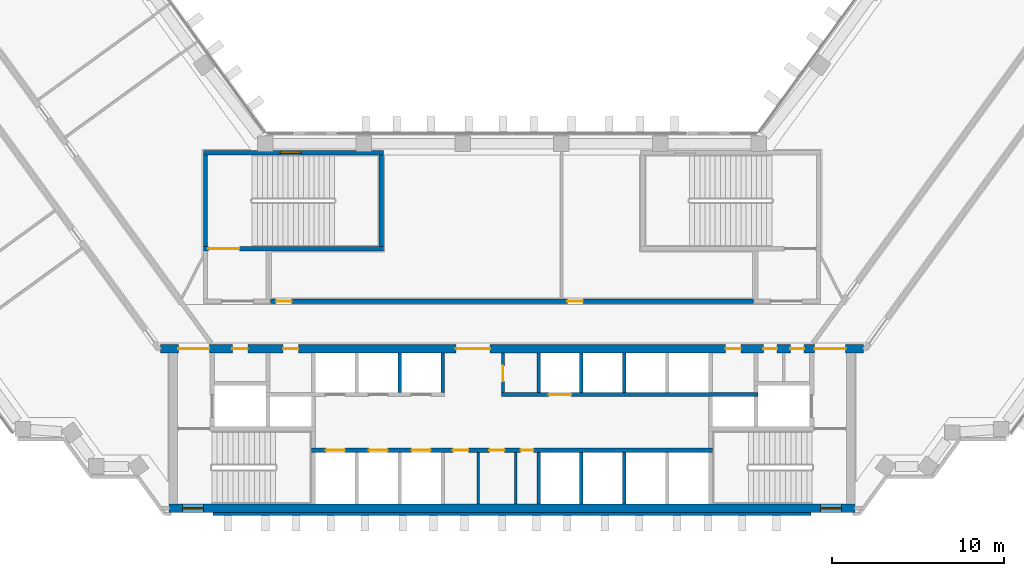
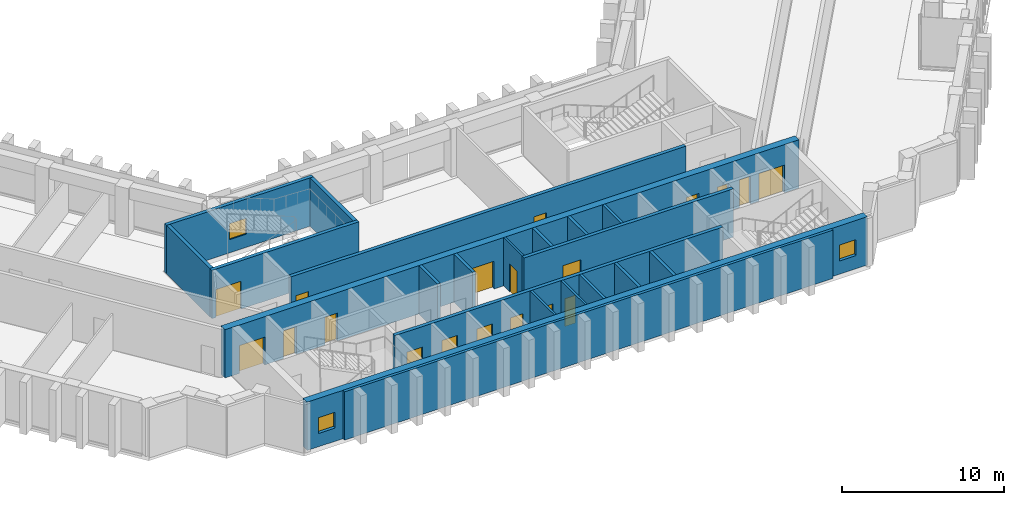
# One storey, part 7 of 14: 21 walls, 19 doors, 3 windows, 22 openings.
"""IFC4 building model written with IfcOpenShell, lengths in metres."""

from ifc_helpers import new_model, si_unit, direction, frame, frame_2d, origin, place, context, subcontext, project, spatial, rectangle, extrude, material, layer, layer_set, type_object, element, fill, save


model = new_model("IFC4")

# Units and contexts
model_context = context("Model", 3, precision=1e-05, world=origin(), true_north=direction((0.0, 1.0)))
body_context = subcontext(model_context, "Body", "Model", "MODEL_VIEW")
ifc_project = project(units=[si_unit("LENGTHUNIT", "METRE"), si_unit("AREAUNIT", "SQUARE_METRE"), si_unit("VOLUMEUNIT", "CUBIC_METRE"), si_unit("PLANEANGLEUNIT", "RADIAN"), si_unit("MASSUNIT", "GRAM", prefix="KILO")], contexts=[model_context])

# Site, building, storey
site_placement = place(None, origin())
site = spatial("IfcSite", under=ifc_project, at=site_placement, CompositionType="ELEMENT")
building_placement = place(site_placement, origin())
building = spatial("IfcBuilding", under=site, at=building_placement, Name="Quipu Civic Tower", CompositionType="ELEMENT")
storey_placement = place(building_placement, frame((0.0, 0.0, 93.0)))
storey = spatial("IfcBuildingStorey", under=building, at=storey_placement, Name="L21", CompositionType="ELEMENT", Elevation=93.0)

# Wall, openings, doors
ifc_material_1 = material(Name="Concrete C70/85", Category="concrete")
ifc_layer_1 = layer(ifc_material_1, 0.25)
ifc_layer_set_1 = layer_set([ifc_layer_1], Name="Concrete C70/85")
wall_type_1 = type_object("IfcWallType", Name="Core wall 250", PredefinedType="SHEAR", material=ifc_layer_set_1)
wall_1_placement = place(storey_placement, frame((11.699951171875, -7.375, 0.0), z_axis=(0.0, 0.0, 1.0), x_axis=(-1.0, 0.0, 0.0)))
wall_1 = element("IfcWall", 1, at=wall_1_placement, inside=storey, type_object=wall_type_1, Name="Core wall", PredefinedType="SHEAR", context=body_context, shape_type="SweptSolid", body=[
    extrude(rectangle(XDim=23.39990234375, YDim=0.25, at=frame_2d((11.699951171875, 0.0))), origin(), (0.0, 0.0, 1.0), 3.64990234375),
])
opening_1_placement = place(wall_1_placement, frame((21.449951171875, 0.0, 0.0)))
opening_1 = element("IfcOpeningElement", 2, at=opening_1_placement, cuts=wall_1, Name="Opening LD-LL1", PredefinedType="OPENING", context=body_context, shape_type="SweptSolid", body=[
    extrude(rectangle(XDim=1.10009765625, YDim=2.10009765625, at=frame_2d((0.550048828125, 1.050048828125))), frame((0.0, 0.135009765625, 0.0), z_axis=(0.0, -1.0, 0.0), x_axis=(1.0, 0.0, 0.0)), (0.0, 0.0, 1.0), 0.27001953125),
])
opening_2_placement = place(wall_1_placement, frame((18.949951171875, 0.0, 0.0)))
opening_2 = element("IfcOpeningElement", 3, at=opening_2_placement, cuts=wall_1, Name="Opening LD-LL2", PredefinedType="OPENING", context=body_context, shape_type="SweptSolid", body=[
    extrude(rectangle(XDim=1.10009765625, YDim=2.10009765625, at=frame_2d((0.550048828125, 1.050048828125))), frame((0.0, 0.135009765625, 0.0), z_axis=(0.0, -1.0, 0.0), x_axis=(1.0, 0.0, 0.0)), (0.0, 0.0, 1.0), 0.27001953125),
])
opening_3_placement = place(wall_1_placement, frame((16.449951171875, 0.0, 0.0)))
opening_3 = element("IfcOpeningElement", 4, at=opening_3_placement, cuts=wall_1, Name="Opening LD-LL3", PredefinedType="OPENING", context=body_context, shape_type="SweptSolid", body=[
    extrude(rectangle(XDim=1.10009765625, YDim=2.10009765625, at=frame_2d((0.550048828125, 1.050048828125))), frame((0.0, 0.135009765625, 0.0), z_axis=(0.0, -1.0, 0.0), x_axis=(1.0, 0.0, 0.0)), (0.0, 0.0, 1.0), 0.27001953125),
])
opening_4_placement = place(wall_1_placement, frame((14.25, 0.0, 0.0)))
opening_4 = element("IfcOpeningElement", 5, at=opening_4_placement, cuts=wall_1, Name="Opening CD-01", PredefinedType="OPENING", context=body_context, shape_type="SweptSolid", body=[
    extrude(rectangle(XDim=0.89990234375, YDim=2.10009765625, at=frame_2d((0.449951171875, 1.050048828125))), frame((0.0, 0.135009765625, 0.0), z_axis=(0.0, -1.0, 0.0), x_axis=(1.0, 0.0, 0.0)), (0.0, 0.0, 1.0), 0.27001953125),
])
opening_5_placement = place(wall_1_placement, frame((12.125, 0.0, 0.0)))
opening_5 = element("IfcOpeningElement", 6, at=opening_5_placement, cuts=wall_1, Name="Opening CD-02", PredefinedType="OPENING", context=body_context, shape_type="SweptSolid", body=[
    extrude(rectangle(XDim=0.89990234375, YDim=2.10009765625, at=frame_2d((0.449951171875, 1.050048828125))), frame((0.0, 0.135009765625, 0.0), z_axis=(0.0, -1.0, 0.0), x_axis=(1.0, 0.0, 0.0)), (0.0, 0.0, 1.0), 0.27001953125),
])
opening_6_placement = place(wall_1_placement, frame((10.449951171875, 0.0, 0.0)))
opening_6 = element("IfcOpeningElement", 7, at=opening_6_placement, cuts=wall_1, Name="Opening CD-03", PredefinedType="OPENING", context=body_context, shape_type="SweptSolid", body=[
    extrude(rectangle(XDim=0.75, YDim=2.10009765625, at=frame_2d((0.375, 1.050048828125))), frame((0.0, 0.135009765625, 0.0), z_axis=(0.0, -1.0, 0.0), x_axis=(1.0, 0.0, 0.0)), (0.0, 0.0, 1.0), 0.27001953125),
])
ifc_material_2 = material(Name="Fire rated steel door", Category="steel")
door_type_1 = type_object("IfcDoorType", Name="Fire door FD60 750 x 2100", OperationType="NOTDEFINED", PredefinedType="DOOR", material=ifc_material_2)
door_1_placement = place(opening_6_placement, origin())
door_1 = element("IfcDoor", 8, at=door_1_placement, inside=storey, type_object=door_type_1, Name="Door", OperationType="SINGLE_SWING_LEFT", OverallHeight=2.10009765625, OverallWidth=0.75, PredefinedType="DOOR", context=body_context, shape_type="SweptSolid", body=[
    extrude(rectangle(XDim=0.75, YDim=2.10009765625, at=frame_2d((0.375, 1.050048828125))), frame((0.0, 0.02490234375, 0.0), z_axis=(0.0, -1.0, 0.0), x_axis=(1.0, 0.0, 0.0)), (0.0, 0.0, 1.0), 0.050048828125),
])
fill(opening_6, door_1)
ifc_material_3 = material(Name="Fire rated steel door", Category="steel")
door_type_2 = type_object("IfcDoorType", Name="Fire door FD60 900 x 2100", OperationType="NOTDEFINED", PredefinedType="DOOR", material=ifc_material_3)
door_2_placement = place(opening_4_placement, origin())
door_2 = element("IfcDoor", 9, at=door_2_placement, inside=storey, type_object=door_type_2, Name="WC door", OperationType="SINGLE_SWING_RIGHT", OverallHeight=2.10009765625, OverallWidth=0.89990234375, PredefinedType="DOOR", context=body_context, shape_type="SweptSolid", body=[
    extrude(rectangle(XDim=0.89990234375, YDim=2.10009765625, at=frame_2d((0.449951171875, 1.050048828125))), frame((0.0, 0.02490234375, 0.0), z_axis=(0.0, -1.0, 0.0), x_axis=(1.0, 0.0, 0.0)), (0.0, 0.0, 1.0), 0.050048828125),
])
fill(opening_4, door_2)
door_3_placement = place(opening_5_placement, origin())
door_3 = element("IfcDoor", 10, at=door_3_placement, inside=storey, type_object=door_type_2, Name="WC door", OperationType="SINGLE_SWING_RIGHT", OverallHeight=2.10009765625, OverallWidth=0.89990234375, PredefinedType="DOOR", context=body_context, shape_type="SweptSolid", body=[
    extrude(rectangle(XDim=0.89990234375, YDim=2.10009765625, at=frame_2d((0.449951171875, 1.050048828125))), frame((0.0, 0.02490234375, 0.0), z_axis=(0.0, -1.0, 0.0), x_axis=(1.0, 0.0, 0.0)), (0.0, 0.0, 1.0), 0.050048828125),
])
fill(opening_5, door_3)
ifc_material_4 = material(Name="Stainless steel", Category="steel")
door_type_3 = type_object("IfcDoorType", Name="Lift landing door 1100 x 2100", OperationType="DOUBLE_DOOR_SLIDING", PredefinedType="DOOR", material=ifc_material_4)
door_4_placement = place(opening_1_placement, origin())
door_4 = element("IfcDoor", 11, at=door_4_placement, inside=storey, type_object=door_type_3, Name="Landing door LL1", OperationType="DOUBLE_DOOR_SLIDING", OverallHeight=2.10009765625, OverallWidth=1.10009765625, PredefinedType="DOOR", context=body_context, shape_type="SweptSolid", body=[
    extrude(rectangle(XDim=1.10009765625, YDim=2.10009765625, at=frame_2d((0.550048828125, 1.050048828125))), frame((0.0, 0.02490234375, 0.0), z_axis=(0.0, -1.0, 0.0), x_axis=(1.0, 0.0, 0.0)), (0.0, 0.0, 1.0), 0.050048828125),
])
fill(opening_1, door_4)
door_5_placement = place(opening_2_placement, origin())
door_5 = element("IfcDoor", 12, at=door_5_placement, inside=storey, type_object=door_type_3, Name="Landing door LL2", OperationType="DOUBLE_DOOR_SLIDING", OverallHeight=2.10009765625, OverallWidth=1.10009765625, PredefinedType="DOOR", context=body_context, shape_type="SweptSolid", body=[
    extrude(rectangle(XDim=1.10009765625, YDim=2.10009765625, at=frame_2d((0.550048828125, 1.050048828125))), frame((0.0, 0.02490234375, 0.0), z_axis=(0.0, -1.0, 0.0), x_axis=(1.0, 0.0, 0.0)), (0.0, 0.0, 1.0), 0.050048828125),
])
fill(opening_2, door_5)
door_6_placement = place(opening_3_placement, origin())
door_6 = element("IfcDoor", 13, at=door_6_placement, inside=storey, type_object=door_type_3, Name="Landing door LL3", OperationType="DOUBLE_DOOR_SLIDING", OverallHeight=2.10009765625, OverallWidth=1.10009765625, PredefinedType="DOOR", context=body_context, shape_type="SweptSolid", body=[
    extrude(rectangle(XDim=1.10009765625, YDim=2.10009765625, at=frame_2d((0.550048828125, 1.050048828125))), frame((0.0, 0.02490234375, 0.0), z_axis=(0.0, -1.0, 0.0), x_axis=(1.0, 0.0, 0.0)), (0.0, 0.0, 1.0), 0.050048828125),
])
fill(opening_3, door_6)

# Wall, opening, door
wall_2_placement = place(storey_placement, frame((-0.60009765625, -4.125, 0.0), z_axis=(0.0, 0.0, 1.0), x_axis=(1.0, 0.0, 0.0)))
wall_2 = element("IfcWall", 14, at=wall_2_placement, inside=storey, type_object=wall_type_1, Name="Core wall", PredefinedType="SHEAR", context=body_context, shape_type="SweptSolid", body=[
    extrude(rectangle(XDim=14.9501953125, YDim=0.25, at=frame_2d((7.47509765625, 0.0))), origin(), (0.0, 0.0, 1.0), 3.64990234375),
])
opening_7_placement = place(wall_2_placement, frame((2.75, 0.0, 0.0)))
opening_7 = element("IfcOpeningElement", 15, at=opening_7_placement, cuts=wall_2, Name="Opening LD-FF3", PredefinedType="OPENING", context=body_context, shape_type="SweptSolid", body=[
    extrude(rectangle(XDim=1.300048828125, YDim=2.10009765625, at=frame_2d((0.64990234375, 1.050048828125))), frame((0.0, 0.135009765625, 0.0), z_axis=(0.0, -1.0, 0.0), x_axis=(1.0, 0.0, 0.0)), (0.0, 0.0, 1.0), 0.27001953125),
])
ifc_material_5 = material(Name="Stainless steel", Category="steel")
door_type_4 = type_object("IfcDoorType", Name="Lift landing door 1300 x 2100", OperationType="DOUBLE_DOOR_SLIDING", PredefinedType="DOOR", material=ifc_material_5)
door_7_placement = place(opening_7_placement, origin())
door_7 = element("IfcDoor", 16, at=door_7_placement, inside=storey, type_object=door_type_4, Name="Landing door FF3", OperationType="DOUBLE_DOOR_SLIDING", OverallHeight=2.10009765625, OverallWidth=1.300048828125, PredefinedType="DOOR", context=body_context, shape_type="SweptSolid", body=[
    extrude(rectangle(XDim=1.300048828125, YDim=2.10009765625, at=frame_2d((0.64990234375, 1.050048828125))), frame((0.0, 0.02490234375, 0.0), z_axis=(0.0, -1.0, 0.0), x_axis=(1.0, 0.0, 0.0)), (0.0, 0.0, 1.0), 0.050048828125),
])
fill(opening_7, door_7)

wall_3_placement = place(storey_placement, frame((-18.0, 4.375, 0.0), z_axis=(0.0, 0.0, 1.0), x_axis=(1.0, 0.0, 0.0)))
wall_3 = element("IfcWall", 17, at=wall_3_placement, inside=storey, type_object=wall_type_1, Name="Core wall", PredefinedType="SHEAR", context=body_context, shape_type="SweptSolid", body=[
    extrude(rectangle(XDim=10.5, YDim=0.25, at=frame_2d((5.25, 0.0))), origin(), (0.0, 0.0, 1.0), 3.64990234375),
])
opening_8_placement = place(wall_3_placement, frame((0.300048828125, 0.0, 0.0)))
opening_8 = element("IfcOpeningElement", 18, at=opening_8_placement, cuts=wall_3, Name="Opening CD-16", PredefinedType="OPENING", context=body_context, shape_type="SweptSolid", body=[
    extrude(rectangle(XDim=1.800048828125, YDim=2.10009765625, at=frame_2d((0.89990234375, 1.050048828125))), frame((0.0, 0.135009765625, 0.0), z_axis=(0.0, -1.0, 0.0), x_axis=(1.0, 0.0, 0.0)), (0.0, 0.0, 1.0), 0.27001953125),
])
ifc_material_6 = material(Name="Fire rated steel door", Category="steel")
door_type_5 = type_object("IfcDoorType", Name="Fire door FD90 double 1800 x 2100", OperationType="NOTDEFINED", PredefinedType="DOOR", material=ifc_material_6)
door_8_placement = place(opening_8_placement, origin())
door_8 = element("IfcDoor", 19, at=door_8_placement, inside=storey, type_object=door_type_5, Name="Door", OperationType="DOUBLE_DOOR_SINGLE_SWING", OverallHeight=2.10009765625, OverallWidth=1.800048828125, PredefinedType="DOOR", context=body_context, shape_type="SweptSolid", body=[
    extrude(rectangle(XDim=1.800048828125, YDim=2.10009765625, at=frame_2d((0.89990234375, 1.050048828125))), frame((0.0, 0.02490234375, 0.0), z_axis=(0.0, -1.0, 0.0), x_axis=(1.0, 0.0, 0.0)), (0.0, 0.0, 1.0), 0.050048828125),
])
fill(opening_8, door_8)

# Walls
for number, where, z_axis, x_axis, name in (
    (20, (-17.875, 4.5, 0.0), (0.0, 0.0, 1.0), (0.0, 1.0, 0.0), "Core wall"),
    (21, (-7.625, 4.5, 0.0), (0.0, 0.0, 1.0), (0.0, 1.0, 0.0), "Core wall"),
):
    element("IfcWall", number, at=place(storey_placement, frame(where, z_axis=z_axis, x_axis=x_axis)), inside=storey, type_object=wall_type_1, Name=name, PredefinedType="SHEAR", context=body_context, shape_type="SweptSolid", body=[
        extrude(rectangle(XDim=5.35009765625, YDim=0.25, at=frame_2d((2.675048828125, 0.0))), origin(), (0.0, 0.0, 1.0), 3.64990234375),
    ])

# Wall, opening, window
wall_4_placement = place(storey_placement, frame((-18.0, 9.97509765625, 0.0), z_axis=(0.0, 0.0, 1.0), x_axis=(1.0, 0.0, 0.0)))
wall_4 = element("IfcWall", 22, at=wall_4_placement, inside=storey, type_object=wall_type_1, Name="Core wall", PredefinedType="SHEAR", context=body_context, shape_type="SweptSolid", body=[
    extrude(rectangle(XDim=10.5, YDim=0.25, at=frame_2d((5.25, 0.0))), origin(), (0.0, 0.0, 1.0), 3.64990234375),
])
opening_9_placement = place(wall_4_placement, frame((4.5, 0.0, 1.0)))
opening_9 = element("IfcOpeningElement", 23, at=opening_9_placement, cuts=wall_4, Name="Opening SV-3", PredefinedType="OPENING", context=body_context, shape_type="SweptSolid", body=[
    extrude(rectangle(XDim=1.199951171875, YDim=1.199951171875, at=frame_2d((0.60009765625, 0.60009765625))), frame((0.0, 0.135009765625, 0.0), z_axis=(0.0, -1.0, 0.0), x_axis=(1.0, 0.0, 0.0)), (0.0, 0.0, 1.0), 0.27001953125),
])
ifc_material_7 = material(Name="Aluminium louvre", Category="aluminium")
window_type = type_object("IfcWindowType", Name="Stair ventilation louvre 1200 x 1200", PartitioningType="SINGLE_PANEL", PredefinedType="WINDOW", material=ifc_material_7)
window_1_placement = place(opening_9_placement, origin())
window_1 = element("IfcWindow", 24, at=window_1_placement, inside=storey, type_object=window_type, Name="Stair ventilation opening", OverallHeight=1.199951171875, OverallWidth=1.199951171875, PartitioningType="SINGLE_PANEL", PredefinedType="WINDOW", context=body_context, shape_type="SweptSolid", body=[
    extrude(rectangle(XDim=1.199951171875, YDim=1.199951171875, at=frame_2d((0.60009765625, 0.60009765625))), frame((0.0, 0.030029296875, 0.0), z_axis=(0.0, -1.0, 0.0), x_axis=(1.0, 0.0, 0.0)), (0.0, 0.0, 1.0), 0.06005859375),
])
fill(opening_9, window_1)

# Wall, openings, windows
ifc_material_8 = material(Name="Concrete C70/85", Category="concrete")
ifc_layer_2 = layer(ifc_material_8, 0.5)
ifc_layer_set_2 = layer_set([ifc_layer_2], Name="Concrete C70/85")
wall_type_2 = type_object("IfcWallType", Name="Core wall 500", PredefinedType="SHEAR", material=ifc_layer_set_2)
wall_5_placement = place(storey_placement, frame((-20.0, -10.75, 0.0), z_axis=(0.0, 0.0, 1.0), x_axis=(1.0, 0.0, 0.0)))
wall_5 = element("IfcWall", 25, at=wall_5_placement, inside=storey, type_object=wall_type_2, Name="Core wall", PredefinedType="SHEAR", context=body_context, shape_type="SweptSolid", body=[
    extrude(rectangle(XDim=40.0, YDim=0.5, at=frame_2d((20.0, 0.0))), origin(), (0.0, 0.0, 1.0), 3.64990234375),
])
opening_10_placement = place(wall_5_placement, frame((0.800048828125, 0.0, 1.0)))
opening_10 = element("IfcOpeningElement", 26, at=opening_10_placement, cuts=wall_5, Name="Opening SV-1", PredefinedType="OPENING", context=body_context, shape_type="SweptSolid", body=[
    extrude(rectangle(XDim=1.199951171875, YDim=1.199951171875, at=frame_2d((0.60009765625, 0.60009765625))), frame((0.0, 0.260009765625, 0.0), z_axis=(0.0, -1.0, 0.0), x_axis=(1.0, 0.0, 0.0)), (0.0, 0.0, 1.0), 0.52001953125),
])
opening_11_placement = place(wall_5_placement, frame((38.0, 0.0, 1.0)))
opening_11 = element("IfcOpeningElement", 27, at=opening_11_placement, cuts=wall_5, Name="Opening SV-2", PredefinedType="OPENING", context=body_context, shape_type="SweptSolid", body=[
    extrude(rectangle(XDim=1.199951171875, YDim=1.199951171875, at=frame_2d((0.60009765625, 0.60009765625))), frame((0.0, 0.260009765625, 0.0), z_axis=(0.0, -1.0, 0.0), x_axis=(1.0, 0.0, 0.0)), (0.0, 0.0, 1.0), 0.52001953125),
])
window_2_placement = place(opening_10_placement, origin())
window_2 = element("IfcWindow", 28, at=window_2_placement, inside=storey, type_object=window_type, Name="Stair ventilation opening", OverallHeight=1.199951171875, OverallWidth=1.199951171875, PartitioningType="SINGLE_PANEL", PredefinedType="WINDOW", context=body_context, shape_type="SweptSolid", body=[
    extrude(rectangle(XDim=1.199951171875, YDim=1.199951171875, at=frame_2d((0.60009765625, 0.60009765625))), frame((0.0, 0.030029296875, 0.0), z_axis=(0.0, -1.0, 0.0), x_axis=(1.0, 0.0, 0.0)), (0.0, 0.0, 1.0), 0.06005859375),
])
fill(opening_10, window_2)
window_3_placement = place(opening_11_placement, origin())
window_3 = element("IfcWindow", 29, at=window_3_placement, inside=storey, type_object=window_type, Name="Stair ventilation opening", OverallHeight=1.199951171875, OverallWidth=1.199951171875, PartitioningType="SINGLE_PANEL", PredefinedType="WINDOW", context=body_context, shape_type="SweptSolid", body=[
    extrude(rectangle(XDim=1.199951171875, YDim=1.199951171875, at=frame_2d((0.60009765625, 0.60009765625))), frame((0.0, 0.030029296875, 0.0), z_axis=(0.0, -1.0, 0.0), x_axis=(1.0, 0.0, 0.0)), (0.0, 0.0, 1.0), 0.06005859375),
])
fill(opening_11, window_3)

# Wall, openings, doors
wall_6_placement = place(storey_placement, frame((20.489990234375, -1.449951171875, 0.0), z_axis=(0.0, 0.0, 1.0), x_axis=(-1.0, 0.0, 0.0)))
wall_6 = element("IfcWall", 30, at=wall_6_placement, inside=storey, type_object=wall_type_2, Name="Core wall", PredefinedType="SHEAR", context=body_context, shape_type="SweptSolid", body=[
    extrude(rectangle(XDim=40.97998046875, YDim=0.5, at=frame_2d((20.489990234375, 0.0))), origin(), (0.0, 0.0, 1.0), 3.64990234375),
])
opening_12_placement = place(wall_6_placement, frame((38.139892578125, 0.0, 0.0)))
opening_12 = element("IfcOpeningElement", 31, at=opening_12_placement, cuts=wall_6, Name="Opening CD-07", PredefinedType="OPENING", context=body_context, shape_type="SweptSolid", body=[
    extrude(rectangle(XDim=1.800048828125, YDim=2.10009765625, at=frame_2d((0.89990234375, 1.050048828125))), frame((0.0, 0.260009765625, 0.0), z_axis=(0.0, -1.0, 0.0), x_axis=(1.0, 0.0, 0.0)), (0.0, 0.0, 1.0), 0.52001953125),
])
opening_13_placement = place(wall_6_placement, frame((35.889892578125, 0.0, 0.0)))
opening_13 = element("IfcOpeningElement", 32, at=opening_13_placement, cuts=wall_6, Name="Opening CD-08", PredefinedType="OPENING", context=body_context, shape_type="SweptSolid", body=[
    extrude(rectangle(XDim=0.89990234375, YDim=2.10009765625, at=frame_2d((0.449951171875, 1.050048828125))), frame((0.0, 0.260009765625, 0.0), z_axis=(0.0, -1.0, 0.0), x_axis=(1.0, 0.0, 0.0)), (0.0, 0.0, 1.0), 0.52001953125),
])
opening_14_placement = place(wall_6_placement, frame((32.93994140625, 0.0, 0.0)))
opening_14 = element("IfcOpeningElement", 33, at=opening_14_placement, cuts=wall_6, Name="Opening CD-09", PredefinedType="OPENING", context=body_context, shape_type="SweptSolid", body=[
    extrude(rectangle(XDim=0.89990234375, YDim=2.10009765625, at=frame_2d((0.449951171875, 1.050048828125))), frame((0.0, 0.260009765625, 0.0), z_axis=(0.0, -1.0, 0.0), x_axis=(1.0, 0.0, 0.0)), (0.0, 0.0, 1.0), 0.52001953125),
])
opening_15_placement = place(wall_6_placement, frame((21.764892578125, 0.0, 0.0)))
opening_15 = element("IfcOpeningElement", 34, at=opening_15_placement, cuts=wall_6, Name="Opening CD-10", PredefinedType="OPENING", context=body_context, shape_type="SweptSolid", body=[
    extrude(rectangle(XDim=2.0, YDim=2.10009765625, at=frame_2d((1.0, 1.050048828125))), frame((0.0, 0.260009765625, 0.0), z_axis=(0.0, -1.0, 0.0), x_axis=(1.0, 0.0, 0.0)), (0.0, 0.0, 1.0), 0.52001953125),
])
opening_16_placement = place(wall_6_placement, frame((7.139892578125, 0.0, 0.0)))
opening_16 = element("IfcOpeningElement", 35, at=opening_16_placement, cuts=wall_6, Name="Opening CD-11", PredefinedType="OPENING", context=body_context, shape_type="SweptSolid", body=[
    extrude(rectangle(XDim=0.89990234375, YDim=2.10009765625, at=frame_2d((0.449951171875, 1.050048828125))), frame((0.0, 0.260009765625, 0.0), z_axis=(0.0, -1.0, 0.0), x_axis=(1.0, 0.0, 0.0)), (0.0, 0.0, 1.0), 0.52001953125),
])
opening_17_placement = place(wall_6_placement, frame((5.027587890625, 0.0, 0.0)))
opening_17 = element("IfcOpeningElement", 36, at=opening_17_placement, cuts=wall_6, Name="Opening CD-12", PredefinedType="OPENING", context=body_context, shape_type="SweptSolid", body=[
    extrude(rectangle(XDim=0.800048828125, YDim=2.10009765625, at=frame_2d((0.39990234375, 1.050048828125))), frame((0.0, 0.260009765625, 0.0), z_axis=(0.0, -1.0, 0.0), x_axis=(1.0, 0.0, 0.0)), (0.0, 0.0, 1.0), 0.52001953125),
])
opening_18_placement = place(wall_6_placement, frame((3.452392578125, 0.0, 0.0)))
opening_18 = element("IfcOpeningElement", 37, at=opening_18_placement, cuts=wall_6, Name="Opening CD-13", PredefinedType="OPENING", context=body_context, shape_type="SweptSolid", body=[
    extrude(rectangle(XDim=0.800048828125, YDim=2.10009765625, at=frame_2d((0.39990234375, 1.050048828125))), frame((0.0, 0.260009765625, 0.0), z_axis=(0.0, -1.0, 0.0), x_axis=(1.0, 0.0, 0.0)), (0.0, 0.0, 1.0), 0.52001953125),
])
opening_19_placement = place(wall_6_placement, frame((1.0400390625, 0.0, 0.0)))
opening_19 = element("IfcOpeningElement", 38, at=opening_19_placement, cuts=wall_6, Name="Opening CD-14", PredefinedType="OPENING", context=body_context, shape_type="SweptSolid", body=[
    extrude(rectangle(XDim=1.800048828125, YDim=2.10009765625, at=frame_2d((0.89990234375, 1.050048828125))), frame((0.0, 0.260009765625, 0.0), z_axis=(0.0, -1.0, 0.0), x_axis=(1.0, 0.0, 0.0)), (0.0, 0.0, 1.0), 0.52001953125),
])
ifc_material_9 = material(Name="Fire rated steel door", Category="steel")
door_type_6 = type_object("IfcDoorType", Name="Fire door FD60 800 x 2100", OperationType="NOTDEFINED", PredefinedType="DOOR", material=ifc_material_9)
door_9_placement = place(opening_17_placement, origin())
door_9 = element("IfcDoor", 39, at=door_9_placement, inside=storey, type_object=door_type_6, Name="Door", OperationType="SINGLE_SWING_LEFT", OverallHeight=2.10009765625, OverallWidth=0.800048828125, PredefinedType="DOOR", context=body_context, shape_type="SweptSolid", body=[
    extrude(rectangle(XDim=0.800048828125, YDim=2.10009765625, at=frame_2d((0.39990234375, 1.050048828125))), frame((0.0, 0.02490234375, 0.0), z_axis=(0.0, -1.0, 0.0), x_axis=(1.0, 0.0, 0.0)), (0.0, 0.0, 1.0), 0.050048828125),
])
fill(opening_17, door_9)
door_10_placement = place(opening_18_placement, origin())
door_10 = element("IfcDoor", 40, at=door_10_placement, inside=storey, type_object=door_type_6, Name="Door", OperationType="SINGLE_SWING_LEFT", OverallHeight=2.10009765625, OverallWidth=0.800048828125, PredefinedType="DOOR", context=body_context, shape_type="SweptSolid", body=[
    extrude(rectangle(XDim=0.800048828125, YDim=2.10009765625, at=frame_2d((0.39990234375, 1.050048828125))), frame((0.0, 0.02490234375, 0.0), z_axis=(0.0, -1.0, 0.0), x_axis=(1.0, 0.0, 0.0)), (0.0, 0.0, 1.0), 0.050048828125),
])
fill(opening_18, door_10)
door_11_placement = place(opening_13_placement, origin())
door_11 = element("IfcDoor", 41, at=door_11_placement, inside=storey, type_object=door_type_2, Name="Door", OperationType="SINGLE_SWING_RIGHT", OverallHeight=2.10009765625, OverallWidth=0.89990234375, PredefinedType="DOOR", context=body_context, shape_type="SweptSolid", body=[
    extrude(rectangle(XDim=0.89990234375, YDim=2.10009765625, at=frame_2d((0.449951171875, 1.050048828125))), frame((0.0, 0.02490234375, 0.0), z_axis=(0.0, -1.0, 0.0), x_axis=(1.0, 0.0, 0.0)), (0.0, 0.0, 1.0), 0.050048828125),
])
fill(opening_13, door_11)
door_12_placement = place(opening_14_placement, origin())
door_12 = element("IfcDoor", 42, at=door_12_placement, inside=storey, type_object=door_type_2, Name="Riser door", OperationType="SINGLE_SWING_RIGHT", OverallHeight=2.10009765625, OverallWidth=0.89990234375, PredefinedType="DOOR", context=body_context, shape_type="SweptSolid", body=[
    extrude(rectangle(XDim=0.89990234375, YDim=2.10009765625, at=frame_2d((0.449951171875, 1.050048828125))), frame((0.0, 0.02490234375, 0.0), z_axis=(0.0, -1.0, 0.0), x_axis=(1.0, 0.0, 0.0)), (0.0, 0.0, 1.0), 0.050048828125),
])
fill(opening_14, door_12)
door_13_placement = place(opening_16_placement, origin())
door_13 = element("IfcDoor", 43, at=door_13_placement, inside=storey, type_object=door_type_2, Name="Riser door", OperationType="SINGLE_SWING_LEFT", OverallHeight=2.10009765625, OverallWidth=0.89990234375, PredefinedType="DOOR", context=body_context, shape_type="SweptSolid", body=[
    extrude(rectangle(XDim=0.89990234375, YDim=2.10009765625, at=frame_2d((0.449951171875, 1.050048828125))), frame((0.0, 0.02490234375, 0.0), z_axis=(0.0, -1.0, 0.0), x_axis=(1.0, 0.0, 0.0)), (0.0, 0.0, 1.0), 0.050048828125),
])
fill(opening_16, door_13)
door_14_placement = place(opening_12_placement, origin())
door_14 = element("IfcDoor", 44, at=door_14_placement, inside=storey, type_object=door_type_5, Name="Lobby door", OperationType="DOUBLE_DOOR_SINGLE_SWING", OverallHeight=2.10009765625, OverallWidth=1.800048828125, PredefinedType="DOOR", context=body_context, shape_type="SweptSolid", body=[
    extrude(rectangle(XDim=1.800048828125, YDim=2.10009765625, at=frame_2d((0.89990234375, 1.050048828125))), frame((0.0, 0.02490234375, 0.0), z_axis=(0.0, -1.0, 0.0), x_axis=(1.0, 0.0, 0.0)), (0.0, 0.0, 1.0), 0.050048828125),
])
fill(opening_12, door_14)
door_15_placement = place(opening_19_placement, origin())
door_15 = element("IfcDoor", 45, at=door_15_placement, inside=storey, type_object=door_type_5, Name="Lobby door", OperationType="DOUBLE_DOOR_SINGLE_SWING", OverallHeight=2.10009765625, OverallWidth=1.800048828125, PredefinedType="DOOR", context=body_context, shape_type="SweptSolid", body=[
    extrude(rectangle(XDim=1.800048828125, YDim=2.10009765625, at=frame_2d((0.89990234375, 1.050048828125))), frame((0.0, 0.02490234375, 0.0), z_axis=(0.0, -1.0, 0.0), x_axis=(1.0, 0.0, 0.0)), (0.0, 0.0, 1.0), 0.050048828125),
])
fill(opening_19, door_15)
ifc_material_10 = material(Name="Fire rated steel door", Category="steel")
door_type_7 = type_object("IfcDoorType", Name="Fire door FD90 double 2000 x 2100", OperationType="NOTDEFINED", PredefinedType="DOOR", material=ifc_material_10)
door_16_placement = place(opening_15_placement, origin())
door_16 = element("IfcDoor", 46, at=door_16_placement, inside=storey, type_object=door_type_7, Name="Lobby door", OperationType="DOUBLE_DOOR_SINGLE_SWING", OverallHeight=2.10009765625, OverallWidth=2.0, PredefinedType="DOOR", context=body_context, shape_type="SweptSolid", body=[
    extrude(rectangle(XDim=2.0, YDim=2.10009765625, at=frame_2d((1.0, 1.050048828125))), frame((0.0, 0.02490234375, 0.0), z_axis=(0.0, -1.0, 0.0), x_axis=(1.0, 0.0, 0.0)), (0.0, 0.0, 1.0), 0.050048828125),
])
fill(opening_15, door_16)

ifc_material_11 = material(Name="Concrete C50/60", Category="concrete")
ifc_layer_3 = layer(ifc_material_11, 0.25)
ifc_layer_set_3 = layer_set([ifc_layer_3], Name="Concrete C50/60")
wall_type_3 = type_object("IfcWallType", Name="Corridor wall 250 concrete", PredefinedType="SOLIDWALL", material=ifc_layer_set_3)
wall_7_placement = place(storey_placement, frame((-14.090087890625, 1.324951171875, 0.0), z_axis=(0.0, 0.0, 1.0), x_axis=(1.0, 0.0, 0.0)))
wall_7 = element("IfcWall", 47, at=wall_7_placement, inside=storey, type_object=wall_type_3, Name="Corridor wall C04", PredefinedType="SOLIDWALL", context=body_context, shape_type="SweptSolid", body=[
    extrude(rectangle(XDim=28.18017578125, YDim=0.25, at=frame_2d((14.090087890625, 0.0))), origin(), (0.0, 0.0, 1.0), 3.64990234375),
])
opening_20_placement = place(wall_7_placement, frame((17.319091796875, 0.0, 0.0)))
opening_20 = element("IfcOpeningElement", 48, at=opening_20_placement, cuts=wall_7, Name="Opening D007", PredefinedType="OPENING", context=body_context, shape_type="SweptSolid", body=[
    extrude(rectangle(XDim=0.89990234375, YDim=2.10009765625, at=frame_2d((0.449951171875, 1.050048828125))), frame((0.0, 0.135009765625, 0.0), z_axis=(0.0, -1.0, 0.0), x_axis=(1.0, 0.0, 0.0)), (0.0, 0.0, 1.0), 0.27001953125),
])
opening_21_placement = place(wall_7_placement, frame((0.340087890625, 0.0, 0.0)))
opening_21 = element("IfcOpeningElement", 49, at=opening_21_placement, cuts=wall_7, Name="Opening D006", PredefinedType="OPENING", context=body_context, shape_type="SweptSolid", body=[
    extrude(rectangle(XDim=0.89990234375, YDim=2.10009765625, at=frame_2d((0.449951171875, 1.050048828125))), frame((0.0, 0.135009765625, 0.0), z_axis=(0.0, -1.0, 0.0), x_axis=(1.0, 0.0, 0.0)), (0.0, 0.0, 1.0), 0.27001953125),
])
ifc_material_12 = material(Name="Fire rated timber door set with metal frame", Category="wood")
door_type_8 = type_object("IfcDoorType", Name="Single door 900 x 2100 FD60", OperationType="NOTDEFINED", PredefinedType="DOOR", material=ifc_material_12)
door_17_placement = place(opening_20_placement, origin())
door_17 = element("IfcDoor", 50, at=door_17_placement, inside=storey, type_object=door_type_8, Name="Door D007", OperationType="SINGLE_SWING_LEFT", OverallHeight=2.10009765625, OverallWidth=0.89990234375, PredefinedType="DOOR", context=body_context, shape_type="SweptSolid", body=[
    extrude(rectangle(XDim=0.89990234375, YDim=2.10009765625, at=frame_2d((0.449951171875, 1.050048828125))), frame((0.0, 0.02490234375, 0.0), z_axis=(0.0, -1.0, 0.0), x_axis=(1.0, 0.0, 0.0)), (0.0, 0.0, 1.0), 0.050048828125),
])
fill(opening_20, door_17)
door_18_placement = place(opening_21_placement, origin())
door_18 = element("IfcDoor", 51, at=door_18_placement, inside=storey, type_object=door_type_8, Name="Door D006", OperationType="SINGLE_SWING_LEFT", OverallHeight=2.10009765625, OverallWidth=0.89990234375, PredefinedType="DOOR", context=body_context, shape_type="SweptSolid", body=[
    extrude(rectangle(XDim=0.89990234375, YDim=2.10009765625, at=frame_2d((0.449951171875, 1.050048828125))), frame((0.0, 0.02490234375, 0.0), z_axis=(0.0, -1.0, 0.0), x_axis=(1.0, 0.0, 0.0)), (0.0, 0.0, 1.0), 0.050048828125),
])
fill(opening_21, door_18)

# Walls
ifc_material_13 = material(Name="Gypsum board partition")
ifc_layer_4 = layer(ifc_material_13, 0.14990234375)
ifc_layer_set_4 = layer_set([ifc_layer_4], Name="Gypsum board partition")
wall_type_4 = type_object("IfcWallType", Name="Partition 150", PredefinedType="PARTITIONING", material=ifc_layer_set_4)
for number, where, z_axis, x_axis, name in (
    (52, (-1.97509765625, -10.5, 0.0), (0.0, 0.0, 1.0), (0.0, 1.0, 0.0), "Partition"),
    (53, (0.22509765625, -10.5, 0.0), (0.0, 0.0, 1.0), (0.0, 1.0, 0.0), "Partition"),
):
    element("IfcWall", number, at=place(storey_placement, frame(where, z_axis=z_axis, x_axis=x_axis)), inside=storey, type_object=wall_type_4, Name=name, PredefinedType="PARTITIONING", context=body_context, shape_type="SweptSolid", body=[
        extrude(rectangle(XDim=3.0, YDim=0.14990234375, at=frame_2d((1.5, 0.0))), origin(), (0.0, 0.0, 1.0), 3.64990234375),
    ])

# Wall, opening, door
wall_8_placement = place(storey_placement, frame((-0.52490234375, -4.0, 0.0), z_axis=(0.0, 0.0, 1.0), x_axis=(0.0, 1.0, 0.0)))
wall_8 = element("IfcWall", 54, at=wall_8_placement, inside=storey, type_object=wall_type_4, Name="Partition", PredefinedType="PARTITIONING", context=body_context, shape_type="SweptSolid", body=[
    extrude(rectangle(XDim=2.300048828125, YDim=0.14990234375, at=frame_2d((1.14990234375, 0.0))), origin(), (0.0, 0.0, 1.0), 3.64990234375),
])
opening_22_placement = place(wall_8_placement, frame((0.64990234375, 0.0, 0.0)))
opening_22 = element("IfcOpeningElement", 55, at=opening_22_placement, cuts=wall_8, Name="Opening CD-06", PredefinedType="OPENING", context=body_context, shape_type="SweptSolid", body=[
    extrude(rectangle(XDim=0.89990234375, YDim=2.10009765625, at=frame_2d((0.449951171875, 1.050048828125))), frame((0.0, 0.0849609375, 0.0), z_axis=(0.0, -1.0, 0.0), x_axis=(1.0, 0.0, 0.0)), (0.0, 0.0, 1.0), 0.169921875),
])
door_19_placement = place(opening_22_placement, origin())
door_19 = element("IfcDoor", 56, at=door_19_placement, inside=storey, type_object=door_type_2, Name="WC door", OperationType="SINGLE_SWING_LEFT", OverallHeight=2.10009765625, OverallWidth=0.89990234375, PredefinedType="DOOR", context=body_context, shape_type="SweptSolid", body=[
    extrude(rectangle(XDim=0.89990234375, YDim=2.10009765625, at=frame_2d((0.449951171875, 1.050048828125))), frame((0.0, 0.02490234375, 0.0), z_axis=(0.0, -1.0, 0.0), x_axis=(1.0, 0.0, 0.0)), (0.0, 0.0, 1.0), 0.050048828125),
])
fill(opening_22, door_19)

# Walls
ifc_material_14 = material(Name="Precast concrete C40/50", Category="concrete")
wall_type_5 = type_object("IfcWallType", Name="Precast cladding wall", PredefinedType="SOLIDWALL", material=ifc_material_14)
wall_9_placement = place(storey_placement, frame((-17.44384765625, -11.087890625, 0.0), z_axis=(0.0, 0.0, 1.0), x_axis=(1.0, 0.0, 0.0)))
element("IfcWall", 57, at=wall_9_placement, inside=storey, type_object=wall_type_5, Name="Precast cladding wall L21 P29", PredefinedType="SOLIDWALL", context=body_context, shape_type="SweptSolid", body=[
    extrude(rectangle(XDim=34.8876953125, YDim=0.199951171875, at=frame_2d((17.44384765625, 0.0))), origin(), (0.0, 0.0, 1.0), 3.64990234375),
])
ifc_material_15 = material(Name="Concrete C40/50", Category="concrete")
ifc_layer_5 = layer(ifc_material_15, 0.199951171875)
ifc_layer_set_5 = layer_set([ifc_layer_5], Name="Concrete C40/50")
wall_type_6 = type_object("IfcWallType", Name="Shaft wall 200", PredefinedType="SOLIDWALL", material=ifc_layer_set_5)
for number, where, z_axis, x_axis, name in (
    (58, (1.550048828125, -10.5, 0.0), (0.0, 0.0, 1.0), (0.0, 1.0, 0.0), "Shaft wall"),
    (59, (4.050048828125, -10.5, 0.0), (0.0, 0.0, 1.0), (0.0, 1.0, 0.0), "Shaft wall"),
    (60, (6.550048828125, -10.5, 0.0), (0.0, 0.0, 1.0), (0.0, 1.0, 0.0), "Shaft wall"),
):
    element("IfcWall", number, at=place(storey_placement, frame(where, z_axis=z_axis, x_axis=x_axis)), inside=storey, type_object=wall_type_6, Name=name, PredefinedType="SOLIDWALL", context=body_context, shape_type="SweptSolid", body=[
        extrude(rectangle(XDim=3.0, YDim=0.199951171875, at=frame_2d((1.5, 0.0))), origin(), (0.0, 0.0, 1.0), 3.64990234375),
    ])
for number, where, z_axis, x_axis, name in (
    (61, (-6.550048828125, -4.0, 0.0), (0.0, 0.0, 1.0), (0.0, 1.0, 0.0), "Shaft wall"),
    (62, (-4.050048828125, -4.0, 0.0), (0.0, 0.0, 1.0), (0.0, 1.0, 0.0), "Shaft wall"),
    (63, (1.550048828125, -4.0, 0.0), (0.0, 0.0, 1.0), (0.0, 1.0, 0.0), "Shaft wall"),
    (64, (4.050048828125, -4.0, 0.0), (0.0, 0.0, 1.0), (0.0, 1.0, 0.0), "Shaft wall"),
    (65, (6.550048828125, -4.0, 0.0), (0.0, 0.0, 1.0), (0.0, 1.0, 0.0), "Shaft wall"),
):
    element("IfcWall", number, at=place(storey_placement, frame(where, z_axis=z_axis, x_axis=x_axis)), inside=storey, type_object=wall_type_6, Name=name, PredefinedType="SOLIDWALL", context=body_context, shape_type="SweptSolid", body=[
        extrude(rectangle(XDim=2.300048828125, YDim=0.199951171875, at=frame_2d((1.14990234375, 0.0))), origin(), (0.0, 0.0, 1.0), 3.64990234375),
    ])

save(model, "model.ifc")
